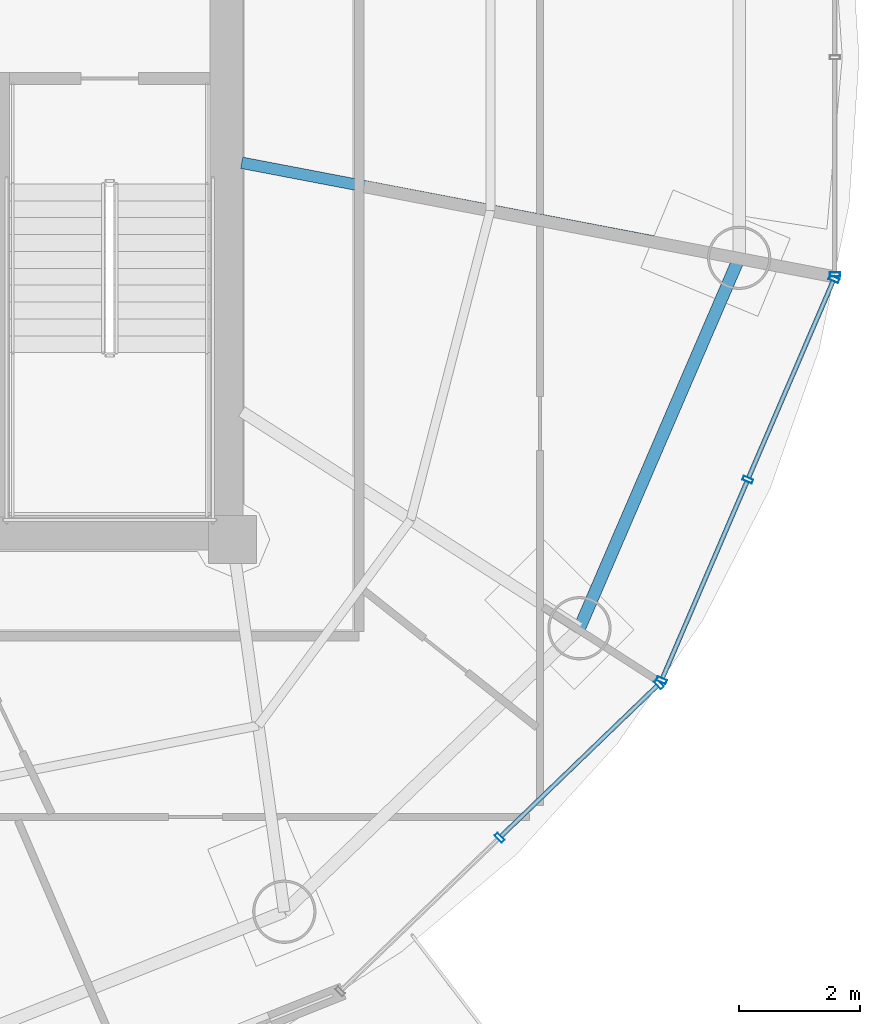
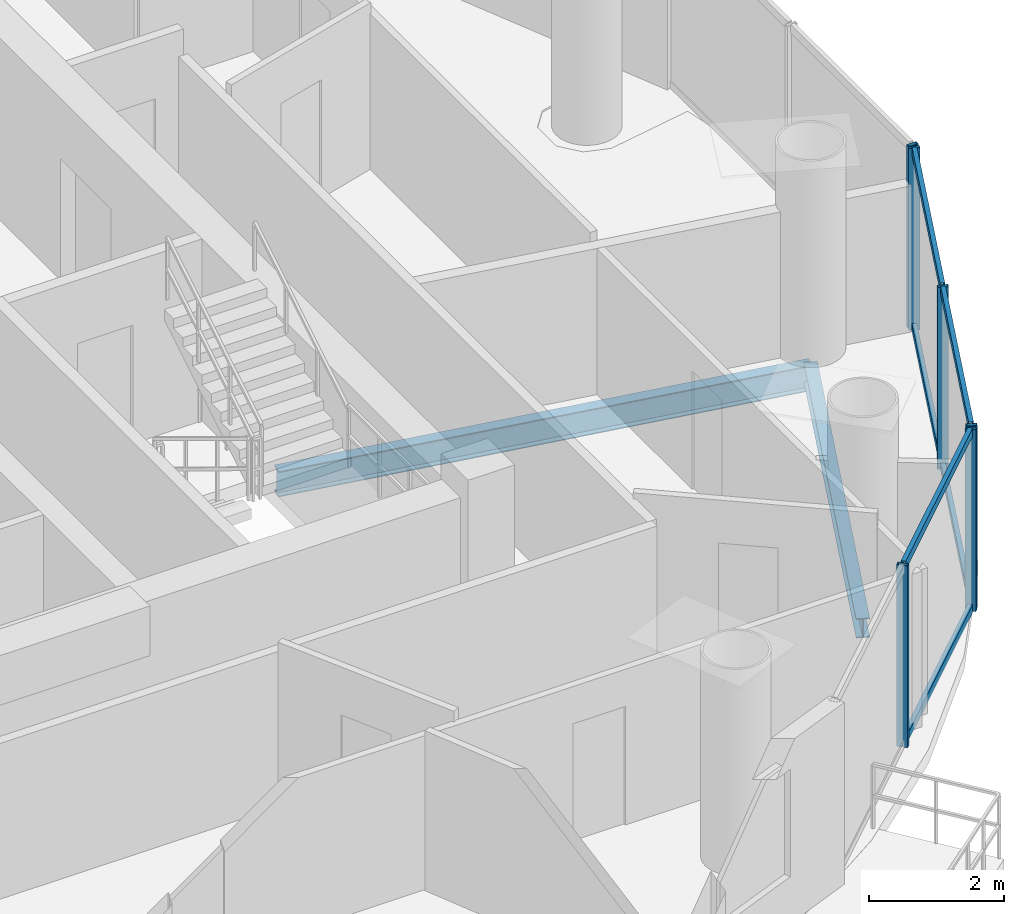
# One storey, part 11 of 23: 12 members, 2 beams, 3 elements without a shape of their own.
"""IFC4 building model written with IfcOpenShell, lengths in metres."""

import ifcopenshell
import ifcopenshell.guid

model = None  # the IFC model being written
_history = None  # IfcOwnerHistory: only IFC2X3 demands one
_inside = {}  # id of a spatial element -> (the spatial element, [elements in it])
_under = {}  # id of a project, library or spatial element -> (it, [spatial elements below it])
_declared = {}  # id of a project -> (the project, [libraries it declares])
_typed = {}  # id of a type object -> (the type object, [elements of that type])
_made_of = {}  # id of a material, layer set ... -> (it, [elements and type objects made of it])


def new_model(schema):
    """Start an empty IFC model of exactly this schema.

    Asked for "IFC4X3", IfcOpenShell would pick the latest addendum, in which some entities
    have other attributes; the version numbers below select the first issue.
    IFC2X3 requires an IfcOwnerHistory on every rooted entity: one is made here for all.
    """
    global model, _history
    if schema == "IFC4X3":
        model = ifcopenshell.file(schema_version=(4, 3, 0, 0))
    else:
        model = ifcopenshell.file(schema=schema)
    _inside.clear()
    _under.clear()
    _declared.clear()
    _typed.clear()
    _made_of.clear()
    _history = None
    if model.schema == "IFC2X3":
        org = make("IfcOrganization", Name="unknown")
        user = make(
            "IfcPersonAndOrganization",
            ThePerson=make("IfcPerson", FamilyName="unknown"),
            TheOrganization=org,
        )
        app = make(
            "IfcApplication",
            ApplicationDeveloper=org,
            Version="unknown",
            ApplicationFullName="unknown",
            ApplicationIdentifier="unknown",
        )
        _history = make(
            "IfcOwnerHistory",
            OwningUser=user,
            OwningApplication=app,
            ChangeAction="ADDED",
            CreationDate=0,
        )
    return model


def make(cls, **values):
    """One entity of the class cls with the attributes given. An attribute that is None is left unset."""
    return model.create_entity(
        cls, **{name: value for name, value in values.items() if value is not None}
    )


def rooted(cls, **values):
    """An entity with a GlobalId (a new one), such as an element, a storey or a relation."""
    return make(cls, GlobalId=ifcopenshell.guid.new(), OwnerHistory=_history, **values)


def si_unit(unit_type, name, prefix=None):
    """IfcSIUnit, for example si_unit("LENGTHUNIT", "METRE", prefix="MILLI")."""
    return make("IfcSIUnit", UnitType=unit_type, Prefix=prefix, Name=name)


def assignment(units):
    """IfcUnitAssignment: the units of a project."""
    return None if units is None else make("IfcUnitAssignment", Units=units)


def point(xyz):
    """IfcCartesianPoint."""
    return None if xyz is None else make("IfcCartesianPoint", Coordinates=xyz)


def direction(xyz):
    """IfcDirection."""
    return None if xyz is None else make("IfcDirection", DirectionRatios=xyz)


def frame(location, z_axis=None, x_axis=None):
    """IfcAxis2Placement3D, a coordinate frame: its origin and axes. An axis left out is left unset."""
    return make(
        "IfcAxis2Placement3D",
        Location=point(location),
        Axis=direction(z_axis),
        RefDirection=direction(x_axis),
    )


def frame_2d(location, x_axis=None):
    """IfcAxis2Placement2D, a coordinate frame in the plane: its origin and x axis."""
    return make(
        "IfcAxis2Placement2D", Location=point(location), RefDirection=direction(x_axis)
    )


def origin():
    """The frame at (0, 0, 0) with its axes left unset."""
    return frame((0.0, 0.0, 0.0))


def origin_2d():
    """The frame at (0, 0) in the plane with its x axis left unset."""
    return frame_2d((0.0, 0.0))


def place(relative_to, where):
    """IfcLocalPlacement: puts the frame where relative to a parent placement (None: the world)."""
    return make(
        "IfcLocalPlacement", PlacementRelTo=relative_to, RelativePlacement=where
    )


def context(
    kind, dimensions, precision=None, world=None, true_north=None, identifier=None
):
    """IfcGeometricRepresentationContext, for example the 3D "Model" context."""
    return make(
        "IfcGeometricRepresentationContext",
        ContextIdentifier=identifier,
        ContextType=kind,
        CoordinateSpaceDimension=dimensions,
        Precision=precision,
        WorldCoordinateSystem=world,
        TrueNorth=true_north,
    )


def subcontext(parent, identifier, kind, view, scale=None):
    """IfcGeometricRepresentationSubContext, for example "Body" below "Model"."""
    return make(
        "IfcGeometricRepresentationSubContext",
        ContextIdentifier=identifier,
        ContextType=kind,
        ParentContext=parent,
        TargetScale=scale,
        TargetView=view,
    )


def project(units=None, contexts=None):
    """IfcProject with its units and contexts."""
    return rooted(
        "IfcProject",
        Name="project",
        RepresentationContexts=contexts,
        UnitsInContext=assignment(units),
    )


def spatial(cls, under=None, at=None, **own):
    """A site, building, storey or space (cls), placed at a placement, below another one or the project."""
    s = rooted(cls, ObjectPlacement=at, **own)
    if under is not None:
        _under.setdefault(under.id(), (under, []))[1].append(s)
    return s


def profile(cls, at=None, kind="AREA", **sizes):
    """A parametric profile (cls). Its sizes go by their IFC names, for example OverallWidth=200.0."""
    return make(cls, ProfileType=kind, Position=at, **sizes)


def hollow_rectangle(**sizes):
    """IfcRectangleHollowProfileDef."""
    return profile("IfcRectangleHollowProfileDef", **sizes)


def i_section(**sizes):
    """IfcIShapeProfileDef."""
    return profile("IfcIShapeProfileDef", **sizes)


def extrude(swept, where, along, depth):
    """IfcExtrudedAreaSolid: the profile swept, set in the frame where, extruded along a direction by depth."""
    return make(
        "IfcExtrudedAreaSolid",
        SweptArea=swept,
        Position=where,
        ExtrudedDirection=direction(along),
        Depth=depth,
    )


def shape(context_of_items, identifier, shape_type, items):
    """IfcShapeRepresentation: the items that make up one representation, for example the "Body"."""
    return make(
        "IfcShapeRepresentation",
        ContextOfItems=context_of_items,
        RepresentationIdentifier=identifier,
        RepresentationType=shape_type,
        Items=items,
    )


def source(mapping_origin, context_of_items, identifier, shape_type, items):
    """IfcRepresentationMap: a shape defined once, which mapped items show again and again."""
    return make(
        "IfcRepresentationMap",
        MappingOrigin=mapping_origin,
        MappedRepresentation=shape(context_of_items, identifier, shape_type, items),
    )


def transform(
    local_origin,
    x_axis=None,
    y_axis=None,
    z_axis=None,
    scale=None,
    scale2=None,
    scale3=None,
    uniform=True,
):
    """IfcCartesianTransformationOperator3D, or its non-uniform kind. x_axis, y_axis, z_axis: its Axis1, 2, 3."""
    if uniform:
        return make(
            "IfcCartesianTransformationOperator3D",
            Axis1=direction(x_axis),
            Axis2=direction(y_axis),
            LocalOrigin=point(local_origin),
            Scale=scale,
            Axis3=direction(z_axis),
        )
    return make(
        "IfcCartesianTransformationOperator3DnonUniform",
        Axis1=direction(x_axis),
        Axis2=direction(y_axis),
        LocalOrigin=point(local_origin),
        Scale=scale,
        Axis3=direction(z_axis),
        Scale2=scale2,
        Scale3=scale3,
    )


def mapped(mapping_source, mapping_target):
    """IfcMappedItem: shows the shape of a source again, moved by a transform."""
    return make(
        "IfcMappedItem", MappingSource=mapping_source, MappingTarget=mapping_target
    )


def material(Name=None, Category=None):
    """IfcMaterial."""
    return make("IfcMaterial", Name=Name, Category=Category)


def material_profile(
    of_material, cross_section, Name=None, Category=None, Priority=None
):
    """IfcMaterialProfile: a cross section and its material."""
    return make(
        "IfcMaterialProfile",
        Name=Name,
        Material=of_material,
        Profile=cross_section,
        Priority=Priority,
        Category=Category,
    )


def profile_set(profiles, Name=None, composite=None):
    """IfcMaterialProfileSet."""
    return make(
        "IfcMaterialProfileSet",
        Name=Name,
        MaterialProfiles=profiles,
        CompositeProfile=composite,
    )


def made_of(thing, what):
    """Note that an element or type object is made of a material, layer set ...; save() writes the relation."""
    if what is not None:
        _made_of.setdefault(what.id(), (what, []))[1].append(thing)
    return thing


def type_object(cls, material=None, **own):
    """A type object (cls), such as IfcWallType, which elements share."""
    return made_of(rooted(cls, **own), material)


def element(
    cls,
    number,
    at=None,
    inside=None,
    cuts=None,
    type_object=None,
    material=None,
    context=None,
    identifier="Body",
    shape_type=None,
    held_by="IfcProductDefinitionShape",
    body=None,
    shapes=None,
    **own,
):
    """One element of the class cls, such as IfcWall. Its Tag is "e" and its number.

    at: its placement. inside: the storey or other place that contains it. cuts: it is an
    opening in that element (IfcRelVoidsElement). A single representation is given by context,
    identifier, shape_type and body (its items); several are given by shapes. held_by: the class
    of the entity that holds the representations. save() writes the other relations.
    """
    e = rooted(cls, Tag="e%d" % number, ObjectPlacement=at, **own)
    if body is not None:
        shapes = [shape(context, identifier, shape_type, body)]
    if shapes is not None:
        e.Representation = make(held_by, Representations=shapes)
    if inside is not None:
        _inside.setdefault(inside.id(), (inside, []))[1].append(e)
    if cuts is not None:
        rooted(
            "IfcRelVoidsElement", RelatingBuildingElement=cuts, RelatedOpeningElement=e
        )
    if type_object is not None:
        _typed.setdefault(type_object.id(), (type_object, []))[1].append(e)
    return made_of(e, material)


def aggregate(whole, parts):
    """IfcRelAggregates: a whole, such as a stair, and the parts it consists of."""
    return rooted("IfcRelAggregates", RelatingObject=whole, RelatedObjects=parts)


def save(model, path):
    """Write the relations noted so far, then the file.

    IfcRelAggregates (storeys below a building ...), IfcRelContainedInSpatialStructure (elements
    in a storey), IfcRelDefinesByType, IfcRelAssociatesMaterial and IfcRelDeclares: one each for
    every whole, place, type object, material and project.
    """
    for whole, parts in _under.values():
        aggregate(whole, parts)
    for where, things in _inside.values():
        rooted(
            "IfcRelContainedInSpatialStructure",
            RelatedElements=things,
            RelatingStructure=where,
        )
    for kind, things in _typed.values():
        rooted("IfcRelDefinesByType", RelatedObjects=things, RelatingType=kind)
    for what, things in _made_of.values():
        rooted("IfcRelAssociatesMaterial", RelatedObjects=things, RelatingMaterial=what)
    for by, libraries in _declared.values():
        rooted("IfcRelDeclares", RelatingContext=by, RelatedDefinitions=libraries)
    model.write(path)


model = new_model("IFC4")

# Units and contexts
model_context = context("Model", 3, precision=1e-05, world=origin(), true_north=direction((-0.2419218956, 0.970295726276)))
body_context = subcontext(model_context, "Body", "Model", "MODEL_VIEW")
ifc_project = project(units=[si_unit("LENGTHUNIT", "METRE"), si_unit("AREAUNIT", "SQUARE_METRE"), si_unit("VOLUMEUNIT", "CUBIC_METRE"), si_unit("PLANEANGLEUNIT", "RADIAN"), si_unit("MASSUNIT", "GRAM", prefix="KILO")], contexts=[model_context])

# Site, building, storey
site_placement = place(None, origin())
site = spatial("IfcSite", under=ifc_project, at=site_placement, CompositionType="ELEMENT")
building_placement = place(site_placement, origin())
building = spatial("IfcBuilding", under=site, at=building_placement, Name="Cobrevalo Terracotta Tower", CompositionType="ELEMENT")
storey_placement = place(building_placement, frame((0.0, 0.0, 296.949951171875)))
storey = spatial("IfcBuildingStorey", under=building, at=storey_placement, Name="L78", CompositionType="ELEMENT", Elevation=296.949951171875)

# Beams
ifc_material_1 = material(Name="Steel S355", Category="steel")
ifc_material_profile_1 = material_profile(ifc_material_1, i_section(OverallWidth=0.19091796875, OverallDepth=0.4599609375, WebThickness=0.010009765625, FlangeThickness=0.01611328125, at=origin_2d()), Name="W 460x82")
ifc_profile_set_1 = profile_set([ifc_material_profile_1], Name="Steel S355")
beam_type_1 = type_object("IfcBeamType", Name="Structural Beam W 460x82 (Steel S355)", PredefinedType="BEAM", material=ifc_profile_set_1)
beam_1_placement = place(storey_placement, frame((55.408935546875, 23.4736328125, -0.489990234375), z_axis=(-0.982229562106, 0.187683476432, 0.0), x_axis=(-0.187683476432, -0.982229562106, 0.0)))
element("IfcBeam", 1, at=beam_1_placement, inside=storey, type_object=beam_type_1, Name="L78 radial floor girder 16", PredefinedType="BEAM", context=body_context, shape_type="SweptSolid", body=[
    extrude(i_section(OverallWidth=0.19091796875, OverallDepth=0.4599609375, WebThickness=0.010009765625, FlangeThickness=0.01611328125, at=origin_2d()), origin(), (0.0, 0.0, 1.0), 8.4033203125),
])
ifc_material_profile_2 = material_profile(ifc_material_1, i_section(OverallWidth=0.205078125, OverallDepth=0.35400390625, WebThickness=0.009521484375, FlangeThickness=0.016845703125, at=origin_2d()), Name="W 360x79")
ifc_profile_set_2 = profile_set([ifc_material_profile_2], Name="Steel S355")
beam_type_2 = type_object("IfcBeamType", Name="Structural Spandrel W 360x79 (Steel S355)", PredefinedType="SPANDREL", material=ifc_profile_set_2)
beam_2_placement = place(storey_placement, frame((52.758544921875, 17.32763671875, -0.43701171875), z_axis=(0.395987390706, 0.918255948198, 0.0), x_axis=(-0.918255948198, 0.395987390706, 0.0)))
element("IfcBeam", 2, at=beam_2_placement, inside=storey, type_object=beam_type_2, Name="L78 perimeter ring spandrel 15", PredefinedType="SPANDREL", context=body_context, shape_type="SweptSolid", body=[
    extrude(i_section(OverallWidth=0.205078125, OverallDepth=0.35400390625, WebThickness=0.009521484375, FlangeThickness=0.016845703125, at=origin_2d()), origin(), (0.0, 0.0, 1.0), 6.693115234375),
])

# Curtain wall, members
ifc_material_2 = material(Name="Anodized aluminium", Category="aluminium")
curtain_wall_type = type_object("IfcCurtainWallType", Name="Upper-tower triple-glazed penthouse curtain wall CW-U3", PredefinedType="NOTDEFINED", material=ifc_material_2)
curtain_wall_1_placement = place(storey_placement, origin())
curtain_wall_1 = element("IfcCurtainWall", 3, at=curtain_wall_1_placement, inside=storey, type_object=curtain_wall_type, Name="L78 curtain wall CW-L78-S14", PredefinedType="NOTDEFINED")
ifc_material_profile_3 = material_profile(ifc_material_2, hollow_rectangle(XDim=0.074951171875, YDim=0.14990234375, WallThickness=0.00439453125, at=origin_2d()), Name="CWT 75x150")
ifc_profile_set_3 = profile_set([ifc_material_profile_3], Name="Anodized aluminium")
member_type_1 = type_object("IfcMemberType", Name="Tower unitised aluminium transom 75x150", PredefinedType="USERDEFINED", material=ifc_profile_set_3)
shared_shape_1 = source(origin(), body_context, "Body", "SweptSolid", [
    extrude(hollow_rectangle(XDim=0.074951171875, YDim=0.14990234375, WallThickness=0.00439453125, at=origin_2d()), origin(), (0.0, 0.0, 1.0), 3.59130859375),
])
member_1_placement = place(storey_placement, frame((51.462158203125, 13.879638671875, 0.050048828125), z_axis=(0.719971660756, 0.694003463758, 0.0), x_axis=(-0.694003463758, 0.719971660756, 0.0)))
member_1 = element("IfcMember", 4, at=member_1_placement, type_object=member_type_1, Name="CW-L78-S14 transom B02-T1", ObjectType="TRANSOM", PredefinedType="USERDEFINED", context=body_context, shape_type="MappedRepresentation", body=[
    mapped(shared_shape_1, transform((0.0, 0.0, 0.0), scale=1.0)),
])
member_2_placement = place(storey_placement, frame((51.462158203125, 13.879638671875, 3.25), z_axis=(0.719971660756, 0.694003463758, 0.0), x_axis=(-0.694003463758, 0.719971660756, 0.0)))
member_2 = element("IfcMember", 5, at=member_2_placement, type_object=member_type_1, Name="CW-L78-S14 transom B02-T2", ObjectType="TRANSOM", PredefinedType="USERDEFINED", context=body_context, shape_type="MappedRepresentation", body=[
    mapped(shared_shape_1, transform((0.0, 0.0, 0.0), scale=1.0)),
])

curtain_wall_2_placement = place(storey_placement, origin())
curtain_wall_2 = element("IfcCurtainWall", 6, at=curtain_wall_2_placement, inside=storey, type_object=curtain_wall_type, Name="L78 curtain wall CW-L78-S15", PredefinedType="NOTDEFINED")
shared_shape_2 = source(origin(), body_context, "Body", "SweptSolid", [
    extrude(hollow_rectangle(XDim=0.074951171875, YDim=0.14990234375, WallThickness=0.00439453125, at=origin_2d()), origin(), (0.0, 0.0, 1.0), 3.542724609375),
])
member_3_placement = place(storey_placement, frame((54.13720703125, 16.5009765625, 0.050048828125), z_axis=(0.394809056766, 0.918763195114, 0.0), x_axis=(-0.918763195114, 0.394809056766, 0.0)))
member_3 = element("IfcMember", 7, at=member_3_placement, type_object=member_type_1, Name="CW-L78-S15 transom B01-T1", ObjectType="TRANSOM", PredefinedType="USERDEFINED", context=body_context, shape_type="MappedRepresentation", body=[
    mapped(shared_shape_2, transform((0.0, 0.0, 0.0), scale=1.0)),
])
member_4_placement = place(storey_placement, frame((54.13720703125, 16.5009765625, 3.25), z_axis=(0.394809056766, 0.918763195114, 0.0), x_axis=(-0.918763195114, 0.394809056766, 0.0)))
member_4 = element("IfcMember", 8, at=member_4_placement, type_object=member_type_1, Name="CW-L78-S15 transom B01-T2", ObjectType="TRANSOM", PredefinedType="USERDEFINED", context=body_context, shape_type="MappedRepresentation", body=[
    mapped(shared_shape_2, transform((0.0, 0.0, 0.0), scale=1.0)),
])
member_5_placement = place(storey_placement, frame((55.5673828125, 19.829345703125, 0.050048828125), z_axis=(0.394867226589, 0.918738196314, 0.0), x_axis=(-0.918738196314, 0.394867226589, 0.0)))
member_5 = element("IfcMember", 9, at=member_5_placement, type_object=member_type_1, Name="CW-L78-S15 transom B02-T1", ObjectType="TRANSOM", PredefinedType="USERDEFINED", context=body_context, shape_type="MappedRepresentation", body=[
    mapped(shared_shape_2, transform((0.0, 0.0, 0.0), scale=1.0)),
])
member_6_placement = place(storey_placement, frame((55.5673828125, 19.829345703125, 3.25), z_axis=(0.394867226589, 0.918738196314, 0.0), x_axis=(-0.918738196314, 0.394867226589, 0.0)))
member_6 = element("IfcMember", 10, at=member_6_placement, type_object=member_type_1, Name="CW-L78-S15 transom B02-T2", ObjectType="TRANSOM", PredefinedType="USERDEFINED", context=body_context, shape_type="MappedRepresentation", body=[
    mapped(shared_shape_2, transform((0.0, 0.0, 0.0), scale=1.0)),
])

# Member
ifc_material_profile_4 = material_profile(ifc_material_2, hollow_rectangle(XDim=0.070068359375, YDim=0.169921875, WallThickness=0.00439453125, at=origin_2d()), Name="CWM 70x170")
ifc_profile_set_4 = profile_set([ifc_material_profile_4], Name="Anodized aluminium")
member_type_2 = type_object("IfcMemberType", Name="Upper tower unitised mullion 70x170", PredefinedType="MULLION", material=ifc_profile_set_4)
shared_shape_3 = source(origin(), body_context, "Body", "SweptSolid", [
    extrude(hollow_rectangle(XDim=0.070068359375, YDim=0.169921875, WallThickness=0.00439453125, at=origin_2d()), origin(), (0.0, 0.0, 1.0), 3.300048828125),
])
member_7_placement = place(storey_placement, frame((51.43359375, 13.85205078125, 0.0), z_axis=(0.0, 0.0, 1.0), x_axis=(0.71999418085, 0.69398010025, 0.0)))
member_7 = element("IfcMember", 11, at=member_7_placement, type_object=member_type_2, Name="CW-L78-S14 vertical mullion 02", PredefinedType="MULLION", context=body_context, shape_type="MappedRepresentation", body=[
    mapped(shared_shape_3, transform((0.0, 0.0, 0.0), scale=1.0)),
])

member_8_placement = place(storey_placement, frame((54.07666015625, 16.399658203125, 0.0), z_axis=(0.0, 0.0, 1.0), x_axis=(0.71999418085, 0.69398010025, 0.0)))
member_8 = element("IfcMember", 12, at=member_8_placement, type_object=member_type_2, Name="CW-L78-S14 vertical mullion 03", PredefinedType="MULLION", context=body_context, shape_type="MappedRepresentation", body=[
    mapped(shared_shape_3, transform((0.0, 0.0, 0.0), scale=1.0)),
])

aggregate(curtain_wall_1, [member_7, member_8, member_1, member_2])

member_9_placement = place(storey_placement, frame((54.121337890625, 16.46435546875, 0.0), z_axis=(0.0, 0.0, 1.0), x_axis=(0.39482403454, 0.91875675875, 0.0)))
member_9 = element("IfcMember", 13, at=member_9_placement, type_object=member_type_2, Name="CW-L78-S15 vertical mullion 01", PredefinedType="MULLION", context=body_context, shape_type="MappedRepresentation", body=[
    mapped(shared_shape_3, transform((0.0, 0.0, 0.0), scale=1.0)),
])

member_10_placement = place(storey_placement, frame((55.5517578125, 19.79248046875, 0.0), z_axis=(0.0, 0.0, 1.0), x_axis=(0.39482403454, 0.91875675875, 0.0)))
member_10 = element("IfcMember", 14, at=member_10_placement, type_object=member_type_2, Name="CW-L78-S15 vertical mullion 02", PredefinedType="MULLION", context=body_context, shape_type="MappedRepresentation", body=[
    mapped(shared_shape_3, transform((0.0, 0.0, 0.0), scale=1.0)),
])

member_11_placement = place(storey_placement, frame((56.98193359375, 23.120849609375, 0.0), z_axis=(0.0, 0.0, 1.0), x_axis=(0.39482403454, 0.91875675875, 0.0)))
member_11 = element("IfcMember", 15, at=member_11_placement, type_object=member_type_2, Name="CW-L78-S15 vertical mullion 03", PredefinedType="MULLION", context=body_context, shape_type="MappedRepresentation", body=[
    mapped(shared_shape_3, transform((0.0, 0.0, 0.0), scale=1.0)),
])

aggregate(curtain_wall_2, [member_9, member_10, member_11, member_3, member_4, member_5, member_6])

# Curtain wall, member
curtain_wall_3_placement = place(storey_placement, origin())
curtain_wall_3 = element("IfcCurtainWall", 16, at=curtain_wall_3_placement, inside=storey, type_object=curtain_wall_type, Name="L78 curtain wall CW-L78-S16", PredefinedType="NOTDEFINED")
member_12_placement = place(storey_placement, frame((56.997802734375, 23.19775390625, 0.0), z_axis=(0.0, 0.0, 1.0), x_axis=(0.0, 1.0, 0.0)))
member_12 = element("IfcMember", 17, at=member_12_placement, type_object=member_type_2, Name="CW-L78-S16 vertical mullion 01", PredefinedType="MULLION", context=body_context, shape_type="MappedRepresentation", body=[
    mapped(shared_shape_3, transform((0.0, 0.0, 0.0), scale=1.0)),
])
aggregate(curtain_wall_3, [member_12])

save(model, "model.ifc")
